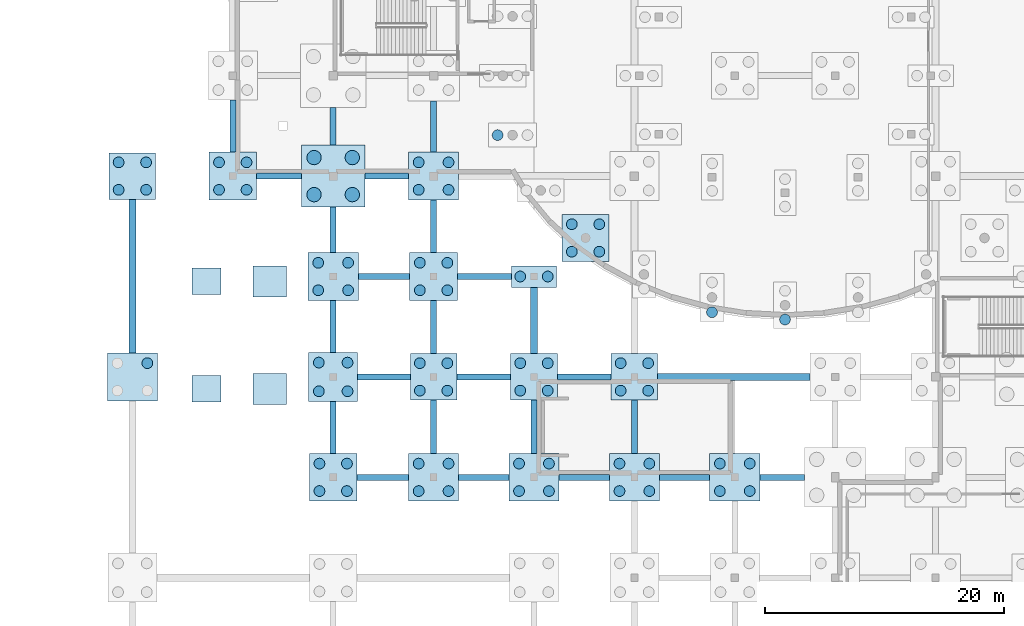
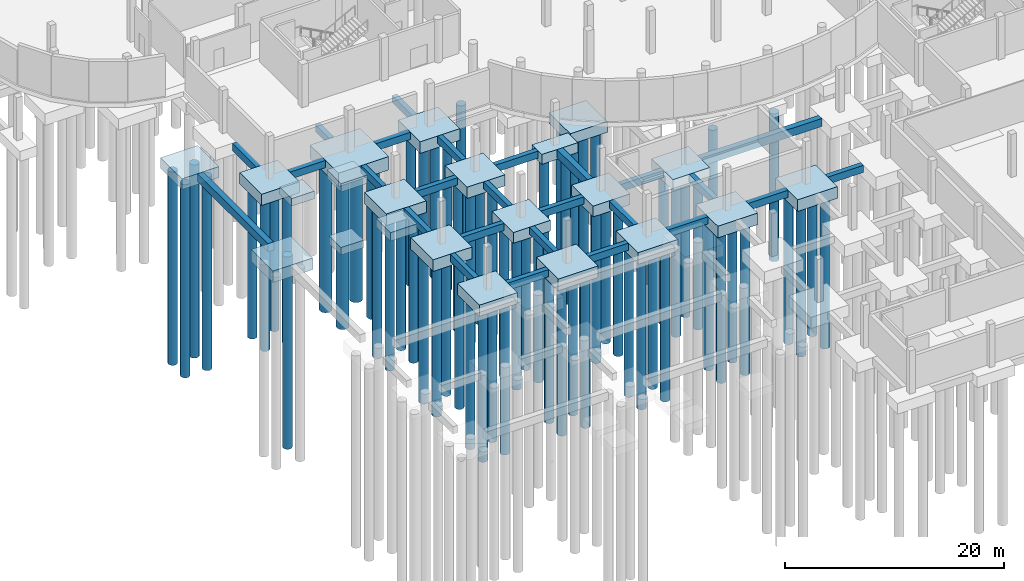
# One storey, part 2 of 24: 70 piles, 48 footings.
"""IFC4 building model written with IfcOpenShell, lengths in metres."""

from ifc_helpers import new_model, si_unit, derived_unit, direction, frame, origin, origin_2d, place, context, subcontext, project, spatial, rectangle, circle, extrude, material, layer, layer_set, material_profile, profile_set, type_object, element, save


model = new_model("IFC4")

# Units and contexts
model_context = context("Model", 3, precision=1e-05, world=origin(), true_north=direction((0.0, 1.0)))
body_context = subcontext(model_context, "Body", "Model", "MODEL_VIEW")
ifc_project = project(units=[si_unit("LENGTHUNIT", "METRE"), si_unit("AREAUNIT", "SQUARE_METRE"), si_unit("VOLUMEUNIT", "CUBIC_METRE"), si_unit("PLANEANGLEUNIT", "RADIAN"), si_unit("MASSUNIT", "GRAM", prefix="KILO"), derived_unit("THERMALTRANSMITTANCEUNIT", [(si_unit("POWERUNIT", "WATT"), 1), (si_unit("LENGTHUNIT", "METRE"), -2), (si_unit("THERMODYNAMICTEMPERATUREUNIT", "KELVIN"), -1)])], contexts=[model_context])

# Site, building, storey
site_placement = place(None, origin())
site = spatial("IfcSite", under=ifc_project, at=site_placement, CompositionType="ELEMENT")
building_placement = place(site_placement, origin())
building = spatial("IfcBuilding", under=site, at=building_placement, Name="Elbkamm Science Centre", CompositionType="ELEMENT")
storey_placement = place(building_placement, frame((0.0, 0.0, -4.800048828125)))
storey = spatial("IfcBuildingStorey", under=building, at=storey_placement, Name="B01", CompositionType="ELEMENT", Elevation=-4.800048828125)

# Footings
ifc_material = material(Name="Concrete C35/45", Category="concrete")
footing_type_1 = type_object("IfcFootingType", Name="FTG-TIE-500x800", PredefinedType="FOOTING_BEAM", material=ifc_material)
footing_1_placement = place(storey_placement, frame((29.35009765625, 33.60009765625, -0.7998046875), z_axis=(0.0, 0.0, 1.0), x_axis=(1.0, 0.0, 0.0)))
element("IfcFooting", 1, at=footing_1_placement, inside=storey, type_object=footing_type_1, Name="Substructure Ground Tie Beam X-043", PredefinedType="FOOTING_BEAM", context=body_context, shape_type="SweptSolid", body=[
    extrude(rectangle(XDim=4.300048828125, YDim=0.5, at=origin_2d()), origin(), (0.0, 0.0, 1.0), 0.800048828125),
])
for number, where, z_axis, x_axis, name in (
    (2, (37.800048828125, 33.60009765625, -0.7998046875), (0.0, 0.0, 1.0), (1.0, 0.0, 0.0), "Substructure Ground Tie Beam X-044"),
    (3, (46.199951171875, 33.60009765625, -0.7998046875), (0.0, 0.0, 1.0), (1.0, 0.0, 0.0), "Substructure Ground Tie Beam X-045"),
    (4, (54.60009765625, 33.60009765625, -0.7998046875), (0.0, 0.0, 1.0), (1.0, 0.0, 0.0), "Substructure Ground Tie Beam X-046"),
):
    element("IfcFooting", number, at=place(storey_placement, frame(where, z_axis=z_axis, x_axis=x_axis)), inside=storey, type_object=footing_type_1, Name=name, PredefinedType="FOOTING_BEAM", context=body_context, shape_type="SweptSolid", body=[
        extrude(rectangle(XDim=4.199951171875, YDim=0.5, at=origin_2d()), origin(), (0.0, 0.0, 1.0), 0.800048828125),
    ])
footing_2_placement = place(storey_placement, frame((62.77490234375, 33.60009765625, -0.7998046875), z_axis=(0.0, 0.0, 1.0), x_axis=(1.0, 0.0, 0.0)))
element("IfcFooting", 5, at=footing_2_placement, inside=storey, type_object=footing_type_1, Name="Substructure Ground Tie Beam X-047", PredefinedType="FOOTING_BEAM", context=body_context, shape_type="SweptSolid", body=[
    extrude(rectangle(XDim=3.75, YDim=0.5, at=origin_2d()), origin(), (0.0, 0.0, 1.0), 0.800048828125),
])
footing_3_placement = place(storey_placement, frame((29.449951171875, 42.0, -0.7998046875), z_axis=(0.0, 0.0, 1.0), x_axis=(1.0, 0.0, 0.0)))
element("IfcFooting", 6, at=footing_3_placement, inside=storey, type_object=footing_type_1, Name="Substructure Ground Tie Beam X-058", PredefinedType="FOOTING_BEAM", context=body_context, shape_type="SweptSolid", body=[
    extrude(rectangle(XDim=4.39990234375, YDim=0.5, at=origin_2d()), origin(), (0.0, 0.0, 1.0), 0.800048828125),
])
for number, where, z_axis, x_axis, name in (
    (7, (37.800048828125, 42.0, -0.7998046875), (0.0, 0.0, 1.0), (1.0, 0.0, 0.0), "Substructure Ground Tie Beam X-059"),
    (8, (46.199951171875, 42.0, -0.7998046875), (0.0, 0.0, 1.0), (1.0, 0.0, 0.0), "Substructure Ground Tie Beam X-060"),
):
    element("IfcFooting", number, at=place(storey_placement, frame(where, z_axis=z_axis, x_axis=x_axis)), inside=storey, type_object=footing_type_1, Name=name, PredefinedType="FOOTING_BEAM", context=body_context, shape_type="SweptSolid", body=[
        extrude(rectangle(XDim=4.5, YDim=0.5, at=origin_2d()), origin(), (0.0, 0.0, 1.0), 0.800048828125),
    ])
footing_4_placement = place(storey_placement, frame((29.449951171875, 50.39990234375, -0.7998046875), z_axis=(0.0, 0.0, 1.0), x_axis=(1.0, 0.0, 0.0)))
element("IfcFooting", 9, at=footing_4_placement, inside=storey, type_object=footing_type_1, Name="Substructure Ground Tie Beam X-071", PredefinedType="FOOTING_BEAM", context=body_context, shape_type="SweptSolid", body=[
    extrude(rectangle(XDim=4.300048828125, YDim=0.5, at=origin_2d()), origin(), (0.0, 0.0, 1.0), 0.800048828125),
])
footing_5_placement = place(storey_placement, frame((37.85009765625, 50.39990234375, -0.7998046875), z_axis=(0.0, 0.0, 1.0), x_axis=(1.0, 0.0, 0.0)))
element("IfcFooting", 10, at=footing_5_placement, inside=storey, type_object=footing_type_1, Name="Substructure Ground Tie Beam X-072", PredefinedType="FOOTING_BEAM", context=body_context, shape_type="SweptSolid", body=[
    extrude(rectangle(XDim=4.5, YDim=0.5, at=origin_2d()), origin(), (0.0, 0.0, 1.0), 0.800048828125),
])
footing_6_placement = place(storey_placement, frame((20.675048828125, 58.800048828125, -0.7998046875), z_axis=(0.0, 0.0, 1.0), x_axis=(1.0, 0.0, 0.0)))
element("IfcFooting", 11, at=footing_6_placement, inside=storey, type_object=footing_type_1, Name="Substructure Ground Tie Beam X-081", PredefinedType="FOOTING_BEAM", context=body_context, shape_type="SweptSolid", body=[
    extrude(rectangle(XDim=3.75, YDim=0.5, at=origin_2d()), origin(), (0.0, 0.0, 1.0), 0.800048828125),
])
footing_7_placement = place(storey_placement, frame((29.675048828125, 58.800048828125, -0.7998046875), z_axis=(0.0, 0.0, 1.0), x_axis=(1.0, 0.0, 0.0)))
element("IfcFooting", 12, at=footing_7_placement, inside=storey, type_object=footing_type_1, Name="Substructure Ground Tie Beam X-082", PredefinedType="FOOTING_BEAM", context=body_context, shape_type="SweptSolid", body=[
    extrude(rectangle(XDim=3.64990234375, YDim=0.5, at=origin_2d()), origin(), (0.0, 0.0, 1.0), 0.800048828125),
])
for number, where, z_axis, x_axis, name in (
    (13, (16.800048828125, 62.97509765625, -0.7998046875), (0.0, 0.0, 1.0), (1.0, 0.0, 0.0), "Substructure Ground Tie Beam Y-131"),
    (14, (25.199951171875, 37.77490234375, -0.7998046875), (0.0, 0.0, 1.0), (1.0, 0.0, 0.0), "Substructure Ground Tie Beam Y-136"),
    (15, (25.199951171875, 46.22509765625, -0.7998046875), (0.0, 0.0, 1.0), (1.0, 0.0, 0.0), "Substructure Ground Tie Beam Y-137"),
):
    element("IfcFooting", number, at=place(storey_placement, frame(where, z_axis=z_axis, x_axis=x_axis)), inside=storey, type_object=footing_type_1, Name=name, PredefinedType="FOOTING_BEAM", context=body_context, shape_type="SweptSolid", body=[
        extrude(rectangle(XDim=0.5, YDim=4.35009765625, at=origin_2d()), origin(), (0.0, 0.0, 1.0), 0.800048828125),
    ])
footing_8_placement = place(storey_placement, frame((25.199951171875, 54.300048828125, -0.7998046875), z_axis=(0.0, 0.0, 1.0), x_axis=(1.0, 0.0, 0.0)))
element("IfcFooting", 16, at=footing_8_placement, inside=storey, type_object=footing_type_1, Name="Substructure Ground Tie Beam Y-138", PredefinedType="FOOTING_BEAM", context=body_context, shape_type="SweptSolid", body=[
    extrude(rectangle(XDim=0.5, YDim=3.800048828125, at=origin_2d()), origin(), (0.0, 0.0, 1.0), 0.800048828125),
])
footing_9_placement = place(storey_placement, frame((25.199951171875, 62.97509765625, -1.2998046875), z_axis=(0.0, 0.0, 1.0), x_axis=(1.0, 0.0, 0.0)))
element("IfcFooting", 17, at=footing_9_placement, inside=storey, type_object=footing_type_1, Name="Substructure Ground Tie Beam Y-139", PredefinedType="FOOTING_BEAM", context=body_context, shape_type="SweptSolid", body=[
    extrude(rectangle(XDim=0.5, YDim=3.14990234375, at=origin_2d()), origin(), (0.0, 0.0, 1.0), 0.800048828125),
])
for number, where, z_axis, x_axis, name in (
    (18, (33.60009765625, 37.824951171875, -0.7998046875), (0.0, 0.0, 1.0), (1.0, 0.0, 0.0), "Substructure Ground Tie Beam Y-140"),
    (19, (33.60009765625, 46.175048828125, -0.7998046875), (0.0, 0.0, 1.0), (1.0, 0.0, 0.0), "Substructure Ground Tie Beam Y-141"),
):
    element("IfcFooting", number, at=place(storey_placement, frame(where, z_axis=z_axis, x_axis=x_axis)), inside=storey, type_object=footing_type_1, Name=name, PredefinedType="FOOTING_BEAM", context=body_context, shape_type="SweptSolid", body=[
        extrude(rectangle(XDim=0.5, YDim=4.449951171875, at=origin_2d()), origin(), (0.0, 0.0, 1.0), 0.800048828125),
    ])
footing_10_placement = place(storey_placement, frame((33.60009765625, 54.60009765625, -0.7998046875), z_axis=(0.0, 0.0, 1.0), x_axis=(1.0, 0.0, 0.0)))
element("IfcFooting", 20, at=footing_10_placement, inside=storey, type_object=footing_type_1, Name="Substructure Ground Tie Beam Y-142", PredefinedType="FOOTING_BEAM", context=body_context, shape_type="SweptSolid", body=[
    extrude(rectangle(XDim=0.5, YDim=4.39990234375, at=origin_2d()), origin(), (0.0, 0.0, 1.0), 0.800048828125),
])
footing_11_placement = place(storey_placement, frame((33.60009765625, 62.949951171875, -1.2998046875), z_axis=(0.0, 0.0, 1.0), x_axis=(1.0, 0.0, 0.0)))
element("IfcFooting", 21, at=footing_11_placement, inside=storey, type_object=footing_type_1, Name="Substructure Ground Tie Beam Y-143", PredefinedType="FOOTING_BEAM", context=body_context, shape_type="SweptSolid", body=[
    extrude(rectangle(XDim=0.5, YDim=4.300048828125, at=origin_2d()), origin(), (0.0, 0.0, 1.0), 0.800048828125),
])
for number, where, z_axis, x_axis, name in (
    (22, (42.0, 37.824951171875, -0.7998046875), (0.0, 0.0, 1.0), (1.0, 0.0, 0.0), "Substructure Ground Tie Beam Y-149"),
    (23, (50.39990234375, 37.824951171875, -0.7998046875), (0.0, 0.0, 1.0), (1.0, 0.0, 0.0), "Substructure Ground Tie Beam Y-155"),
):
    element("IfcFooting", number, at=place(storey_placement, frame(where, z_axis=z_axis, x_axis=x_axis)), inside=storey, type_object=footing_type_1, Name=name, PredefinedType="FOOTING_BEAM", context=body_context, shape_type="SweptSolid", body=[
        extrude(rectangle(XDim=0.5, YDim=4.449951171875, at=origin_2d()), origin(), (0.0, 0.0, 1.0), 0.800048828125),
    ])
footing_type_2 = type_object("IfcFootingType", Name="FTG-TIE-600x900", PredefinedType="FOOTING_BEAM", material=ifc_material)
footing_12_placement = place(storey_placement, frame((58.72509765625, 42.0, -0.89990234375), z_axis=(0.0, 0.0, 1.0), x_axis=(1.0, 0.0, 0.0)))
element("IfcFooting", 24, at=footing_12_placement, inside=storey, type_object=footing_type_2, Name="Substructure Ground Tie Beam X-061", PredefinedType="FOOTING_BEAM", context=body_context, shape_type="SweptSolid", body=[
    extrude(rectangle(XDim=12.75, YDim=0.60009765625, at=origin_2d()), origin(), (0.0, 0.0, 1.0), 0.89990234375),
])
footing_13_placement = place(storey_placement, frame((8.39990234375, 50.425048828125, 3.710205078125), z_axis=(0.0, 0.0, 1.0), x_axis=(1.0, 0.0, 0.0)))
element("IfcFooting", 25, at=footing_13_placement, inside=storey, type_object=footing_type_2, Name="Substructure Ground Tie Beam Y-130", PredefinedType="FOOTING_BEAM", context=body_context, shape_type="SweptSolid", body=[
    extrude(rectangle(XDim=0.60009765625, YDim=12.85009765625, at=origin_2d()), origin(), (0.0, 0.0, 1.0), 0.89990234375),
])
footing_14_placement = place(storey_placement, frame((42.0, 46.72509765625, -0.89990234375), z_axis=(0.0, 0.0, 1.0), x_axis=(1.0, 0.0, 0.0)))
element("IfcFooting", 26, at=footing_14_placement, inside=storey, type_object=footing_type_2, Name="Substructure Ground Tie Beam Y-150", PredefinedType="FOOTING_BEAM", context=body_context, shape_type="SweptSolid", body=[
    extrude(rectangle(XDim=0.60009765625, YDim=5.550048828125, at=origin_2d()), origin(), (0.0, 0.0, 1.0), 0.89990234375),
])
ifc_layer_1 = layer(ifc_material, 0.85009765625)
ifc_layer_set_1 = layer_set([ifc_layer_1], Name="Concrete C35/45")
footing_type_3 = type_object("IfcFootingType", Name="PAD-240x220x85", PredefinedType="PAD_FOOTING", material=ifc_layer_set_1)
for number, where, z_axis, x_axis, name in (
    (27, (14.60009765625, 41.0, 3.949951171875), (0.0, 0.0, 1.0), (1.0, 0.0, 0.0), "Warft Stair 1 Base Footing"),
    (28, (14.60009765625, 50.0, 3.949951171875), (0.0, 0.0, 1.0), (1.0, 0.0, 0.0), "Warft Stair 2 Base Footing"),
):
    element("IfcFooting", number, at=place(storey_placement, frame(where, z_axis=z_axis, x_axis=x_axis)), inside=storey, type_object=footing_type_3, Name=name, PredefinedType="PAD_FOOTING", context=body_context, shape_type="SweptSolid", body=[
        extrude(rectangle(XDim=2.39990234375, YDim=2.199951171875, at=origin_2d()), origin(), (0.0, 0.0, 1.0), 0.85009765625),
    ])
ifc_layer_2 = layer(ifc_material, 0.949951171875)
ifc_layer_set_2 = layer_set([ifc_layer_2], Name="Concrete C35/45")
footing_type_4 = type_object("IfcFootingType", Name="PAD-280x260x95", PredefinedType="PAD_FOOTING", material=ifc_layer_set_2)
for number, where, z_axis, x_axis, name in (
    (29, (19.89990234375, 41.0, 3.85009765625), (0.0, 0.0, 1.0), (1.0, 0.0, 0.0), "Warft Stair 1 Landing Footing"),
    (30, (19.89990234375, 50.0, 3.85009765625), (0.0, 0.0, 1.0), (1.0, 0.0, 0.0), "Warft Stair 2 Landing Footing"),
):
    element("IfcFooting", number, at=place(storey_placement, frame(where, z_axis=z_axis, x_axis=x_axis)), inside=storey, type_object=footing_type_4, Name=name, PredefinedType="PAD_FOOTING", context=body_context, shape_type="SweptSolid", body=[
        extrude(rectangle(XDim=2.800048828125, YDim=2.60009765625, at=origin_2d()), origin(), (0.0, 0.0, 1.0), 0.949951171875),
    ])
ifc_layer_3 = layer(ifc_material, 1.10009765625)
ifc_layer_set_3 = layer_set([ifc_layer_3], Name="Concrete C35/45")
footing_type_5 = type_object("IfcFootingType", Name="PC-2P-380x180x110", PredefinedType="PILE_CAP", material=ifc_layer_set_3)
footing_15_placement = place(storey_placement, frame((42.0, 50.39990234375, -1.10009765625), z_axis=(0.0, 0.0, 1.0), x_axis=(1.0, 0.0, 0.0)))
element("IfcFooting", 31, at=footing_15_placement, inside=storey, type_object=footing_type_5, Name="Pile Cap GRID-6-G", PredefinedType="PILE_CAP", context=body_context, shape_type="SweptSolid", body=[
    extrude(rectangle(XDim=3.800048828125, YDim=1.800048828125, at=origin_2d()), origin(), (0.0, 0.0, 1.0), 1.10009765625),
])
ifc_layer_4 = layer(ifc_material, 1.199951171875)
ifc_layer_set_4 = layer_set([ifc_layer_4], Name="Concrete C35/45")
footing_type_6 = type_object("IfcFootingType", Name="PC-4P-390x390x120", PredefinedType="PILE_CAP", material=ifc_layer_set_4)
for number, where, z_axis, x_axis, name in (
    (32, (46.31201171875, 53.6240234375, -1.69970703125), (0.0, 0.0, 1.0), (1.0, 0.0, 0.0), "Pile Cap SH-OUT-16"),
    (33, (8.39990234375, 58.800048828125, 3.41015625), (0.0, 0.0, 1.0), (1.0, 0.0, 0.0), "Pile Cap MARQ-SUB-09"),
    (34, (33.60009765625, 42.0, -1.19970703125), (0.0, 0.0, 1.0), (1.0, 0.0, 0.0), "Pile Cap GRID-5-F"),
    (35, (42.0, 42.0, -1.19970703125), (0.0, 0.0, 1.0), (1.0, 0.0, 0.0), "Pile Cap GRID-6-F"),
    (36, (50.39990234375, 42.0, -1.19970703125), (0.0, 0.0, 1.0), (1.0, 0.0, 0.0), "Pile Cap GRID-7-F"),
):
    element("IfcFooting", number, at=place(storey_placement, frame(where, z_axis=z_axis, x_axis=x_axis)), inside=storey, type_object=footing_type_6, Name=name, PredefinedType="PILE_CAP", context=body_context, shape_type="SweptSolid", body=[
        extrude(rectangle(XDim=3.89990234375, YDim=3.89990234375, at=origin_2d()), origin(), (0.0, 0.0, 1.0), 1.199951171875),
    ])
ifc_layer_5 = layer(ifc_material, 1.25)
ifc_layer_set_5 = layer_set([ifc_layer_5], Name="Concrete C35/45")
footing_type_7 = type_object("IfcFootingType", Name="PC-4P-400x400x125", PredefinedType="PILE_CAP", material=ifc_layer_set_5)
for number, where, z_axis, x_axis, name in (
    (37, (16.800048828125, 58.800048828125, -1.25), (0.0, 0.0, 1.0), (1.0, 0.0, 0.0), "Pile Cap GRID-3-H"),
    (38, (25.199951171875, 33.60009765625, -1.25), (0.0, 0.0, 1.0), (1.0, 0.0, 0.0), "Pile Cap GRID-4-E"),
    (39, (33.60009765625, 50.39990234375, -1.25), (0.0, 0.0, 1.0), (1.0, 0.0, 0.0), "Pile Cap GRID-5-G"),
):
    element("IfcFooting", number, at=place(storey_placement, frame(where, z_axis=z_axis, x_axis=x_axis)), inside=storey, type_object=footing_type_7, Name=name, PredefinedType="PILE_CAP", context=body_context, shape_type="SweptSolid", body=[
        extrude(rectangle(XDim=4.0, YDim=4.0, at=origin_2d()), origin(), (0.0, 0.0, 1.0), 1.25),
    ])
ifc_layer_6 = layer(ifc_material, 1.300048828125)
ifc_layer_set_6 = layer_set([ifc_layer_6], Name="Concrete C35/45")
footing_type_8 = type_object("IfcFootingType", Name="PC-4P-410x410x130", PredefinedType="PILE_CAP", material=ifc_layer_set_6)
footing_16_placement = place(storey_placement, frame((25.199951171875, 42.0, -1.2998046875), z_axis=(0.0, 0.0, 1.0), x_axis=(1.0, 0.0, 0.0)))
element("IfcFooting", 40, at=footing_16_placement, inside=storey, type_object=footing_type_8, Name="Pile Cap GRID-4-F", PredefinedType="PILE_CAP", context=body_context, shape_type="SweptSolid", body=[
    extrude(rectangle(XDim=4.10009765625, YDim=4.10009765625, at=origin_2d()), origin(), (0.0, 0.0, 1.0), 1.300048828125),
])
ifc_layer_7 = layer(ifc_material, 1.300048828125)
ifc_layer_set_7 = layer_set([ifc_layer_7], Name="Concrete C35/45")
footing_type_9 = type_object("IfcFootingType", Name="PC-4P-420x400x130", PredefinedType="PILE_CAP", material=ifc_layer_set_7)
for number, where, z_axis, x_axis, name in (
    (41, (8.39990234375, 42.0, 3.31005859375), (0.0, 0.0, 1.0), (1.0, 0.0, 0.0), "Pile Cap MARQ-SUB-08"),
    (42, (25.199951171875, 50.39990234375, -1.2998046875), (0.0, 0.0, 1.0), (1.0, 0.0, 0.0), "Pile Cap GRID-4-G"),
    (43, (33.60009765625, 33.60009765625, -1.2998046875), (0.0, 0.0, 1.0), (1.0, 0.0, 0.0), "Pile Cap GRID-5-E"),
    (44, (33.60009765625, 58.800048828125, -1.2998046875), (0.0, 0.0, 1.0), (1.0, 0.0, 0.0), "Pile Cap GRID-5-H"),
    (45, (42.0, 33.60009765625, -1.2998046875), (0.0, 0.0, 1.0), (1.0, 0.0, 0.0), "Pile Cap GRID-6-E"),
    (46, (50.39990234375, 33.60009765625, -1.2998046875), (0.0, 0.0, 1.0), (1.0, 0.0, 0.0), "Pile Cap GRID-7-E"),
    (47, (58.800048828125, 33.60009765625, -1.2998046875), (0.0, 0.0, 1.0), (1.0, 0.0, 0.0), "Pile Cap GRID-8-E"),
):
    element("IfcFooting", number, at=place(storey_placement, frame(where, z_axis=z_axis, x_axis=x_axis)), inside=storey, type_object=footing_type_9, Name=name, PredefinedType="PILE_CAP", context=body_context, shape_type="SweptSolid", body=[
        extrude(rectangle(XDim=4.199951171875, YDim=4.0, at=origin_2d()), origin(), (0.0, 0.0, 1.0), 1.300048828125),
    ])
ifc_layer_8 = layer(ifc_material, 1.5)
ifc_layer_set_8 = layer_set([ifc_layer_8], Name="Concrete C35/45")
footing_type_10 = type_object("IfcFootingType", Name="PC-4P-530x520x150", PredefinedType="PILE_CAP", material=ifc_layer_set_8)
footing_17_placement = place(storey_placement, frame((25.199951171875, 58.800048828125, -1.5), z_axis=(0.0, 0.0, 1.0), x_axis=(1.0, 0.0, 0.0)))
element("IfcFooting", 48, at=footing_17_placement, inside=storey, type_object=footing_type_10, Name="Pile Cap GRID-4-H", PredefinedType="PILE_CAP", context=body_context, shape_type="SweptSolid", body=[
    extrude(rectangle(XDim=5.300048828125, YDim=5.199951171875, at=origin_2d()), origin(), (0.0, 0.0, 1.0), 1.5),
])

# Piles
ifc_material_profile_1 = material_profile(ifc_material, circle(Radius=0.60009765625, at=origin_2d()), Name="PILE D1200")
ifc_profile_set_1 = profile_set([ifc_material_profile_1], Name="Concrete C35/45")
pile_type_1 = type_object("IfcPileType", Name="PILE-BORED-1200", PredefinedType="BORED", material=ifc_profile_set_1)
for number, where, z_axis, x_axis, name in (
    (49, (23.60009765625, 57.25, -1.39990234375), (0.0, 0.0, -1.0), (1.0, 0.0, 0.0), "Bored Pile GRID-4-H-1"),
    (50, (26.800048828125, 57.25, -1.39990234375), (0.0, 0.0, -1.0), (1.0, 0.0, 0.0), "Bored Pile GRID-4-H-2"),
    (51, (23.60009765625, 60.35009765625, -1.39990234375), (0.0, 0.0, -1.0), (1.0, 0.0, 0.0), "Bored Pile GRID-4-H-3"),
    (52, (26.800048828125, 60.35009765625, -1.39990234375), (0.0, 0.0, -1.0), (1.0, 0.0, 0.0), "Bored Pile GRID-4-H-4"),
):
    element("IfcPile", number, at=place(storey_placement, frame(where, z_axis=z_axis, x_axis=x_axis)), inside=storey, type_object=pile_type_1, Name=name, PredefinedType="BORED", context=body_context, shape_type="SweptSolid", body=[
        extrude(circle(Radius=0.60009765625, at=origin_2d()), origin(), (0.0, 0.0, 1.0), 16.60009765625),
    ])
ifc_material_profile_2 = material_profile(ifc_material, circle(Radius=0.449951171875, at=origin_2d()), Name="PILE D900")
ifc_profile_set_2 = profile_set([ifc_material_profile_2], Name="Concrete C35/45")
pile_type_2 = type_object("IfcPileType", Name="PILE-BORED-900", PredefinedType="BORED", material=ifc_profile_set_2)
for number, where, z_axis, x_axis, name in (
    (53, (38.9541015625, 62.23095703125, -1.599853515625), (0.0, 0.0, -1.0), (1.0, 0.0, 0.0), "Bored Pile SH-OUT-14-1"),
    (54, (45.162109375, 52.47412109375, -1.599853515625), (0.0, 0.0, -1.0), (1.0, 0.0, 0.0), "Bored Pile SH-OUT-16-1"),
    (55, (47.4619140625, 52.47412109375, -1.599853515625), (0.0, 0.0, -1.0), (1.0, 0.0, 0.0), "Bored Pile SH-OUT-16-2"),
    (56, (45.162109375, 54.77392578125, -1.599853515625), (0.0, 0.0, -1.0), (1.0, 0.0, 0.0), "Bored Pile SH-OUT-16-3"),
    (57, (47.4619140625, 54.77392578125, -1.599853515625), (0.0, 0.0, -1.0), (1.0, 0.0, 0.0), "Bored Pile SH-OUT-16-4"),
    (58, (56.89208984375, 47.404052734375, -1.599853515625), (0.0, 0.0, -1.0), (1.0, 0.0, 0.0), "Bored Pile SH-OUT-18-1"),
):
    element("IfcPile", number, at=place(storey_placement, frame(where, z_axis=z_axis, x_axis=x_axis)), inside=storey, type_object=pile_type_2, Name=name, PredefinedType="BORED", context=body_context, shape_type="SweptSolid", body=[
        extrude(circle(Radius=0.449951171875, at=origin_2d()), origin(), (0.0, 0.0, 1.0), 16.39990234375),
    ])
pile_1_placement = place(storey_placement, frame((63.0, 46.800048828125, -1.550048828125), z_axis=(0.0, 0.0, -1.0), x_axis=(1.0, 0.0, 0.0)))
element("IfcPile", 59, at=pile_1_placement, inside=storey, type_object=pile_type_2, Name="Bored Pile SH-OUT-19-1", PredefinedType="BORED", context=body_context, shape_type="SweptSolid", body=[
    extrude(circle(Radius=0.449951171875, at=origin_2d()), origin(), (0.0, 0.0, 1.0), 16.449951171875),
])
pile_2_placement = place(storey_placement, frame((9.64990234375, 43.14990234375, 3.41015625), z_axis=(0.0, 0.0, -1.0), x_axis=(1.0, 0.0, 0.0)))
element("IfcPile", 60, at=pile_2_placement, inside=storey, type_object=pile_type_2, Name="Bored Pile MARQ-SUB-08-4", PredefinedType="BORED", context=body_context, shape_type="SweptSolid", body=[
    extrude(circle(Radius=0.449951171875, at=origin_2d()), origin(), (0.0, 0.0, 1.0), 21.409912109375),
])
for number, where, z_axis, x_axis, name in (
    (61, (7.25, 57.64990234375, 3.510009765625), (0.0, 0.0, -1.0), (1.0, 0.0, 0.0), "Bored Pile MARQ-SUB-09-1"),
    (62, (9.550048828125, 57.64990234375, 3.510009765625), (0.0, 0.0, -1.0), (1.0, 0.0, 0.0), "Bored Pile MARQ-SUB-09-2"),
    (63, (7.25, 59.949951171875, 3.510009765625), (0.0, 0.0, -1.0), (1.0, 0.0, 0.0), "Bored Pile MARQ-SUB-09-3"),
    (64, (9.550048828125, 59.949951171875, 3.510009765625), (0.0, 0.0, -1.0), (1.0, 0.0, 0.0), "Bored Pile MARQ-SUB-09-4"),
):
    element("IfcPile", number, at=place(storey_placement, frame(where, z_axis=z_axis, x_axis=x_axis)), inside=storey, type_object=pile_type_2, Name=name, PredefinedType="BORED", context=body_context, shape_type="SweptSolid", body=[
        extrude(circle(Radius=0.449951171875, at=origin_2d()), origin(), (0.0, 0.0, 1.0), 21.510009765625),
    ])
for number, where, z_axis, x_axis, name in (
    (65, (15.64990234375, 57.64990234375, -1.14990234375), (0.0, 0.0, -1.0), (1.0, 0.0, 0.0), "Bored Pile GRID-3-H-1"),
    (66, (17.949951171875, 57.64990234375, -1.14990234375), (0.0, 0.0, -1.0), (1.0, 0.0, 0.0), "Bored Pile GRID-3-H-2"),
    (67, (15.64990234375, 59.949951171875, -1.14990234375), (0.0, 0.0, -1.0), (1.0, 0.0, 0.0), "Bored Pile GRID-3-H-3"),
    (68, (17.949951171875, 59.949951171875, -1.14990234375), (0.0, 0.0, -1.0), (1.0, 0.0, 0.0), "Bored Pile GRID-3-H-4"),
    (69, (24.050048828125, 32.449951171875, -1.14990234375), (0.0, 0.0, -1.0), (1.0, 0.0, 0.0), "Bored Pile GRID-4-E-1"),
    (70, (26.35009765625, 32.449951171875, -1.14990234375), (0.0, 0.0, -1.0), (1.0, 0.0, 0.0), "Bored Pile GRID-4-E-2"),
    (71, (24.050048828125, 34.75, -1.14990234375), (0.0, 0.0, -1.0), (1.0, 0.0, 0.0), "Bored Pile GRID-4-E-3"),
    (72, (26.35009765625, 34.75, -1.14990234375), (0.0, 0.0, -1.0), (1.0, 0.0, 0.0), "Bored Pile GRID-4-E-4"),
):
    element("IfcPile", number, at=place(storey_placement, frame(where, z_axis=z_axis, x_axis=x_axis)), inside=storey, type_object=pile_type_2, Name=name, PredefinedType="BORED", context=body_context, shape_type="SweptSolid", body=[
        extrude(circle(Radius=0.449951171875, at=origin_2d()), origin(), (0.0, 0.0, 1.0), 16.85009765625),
    ])
for number, where, z_axis, x_axis, name in (
    (73, (24.0, 40.800048828125, -1.199951171875), (0.0, 0.0, -1.0), (1.0, 0.0, 0.0), "Bored Pile GRID-4-F-1"),
    (74, (26.39990234375, 40.800048828125, -1.199951171875), (0.0, 0.0, -1.0), (1.0, 0.0, 0.0), "Bored Pile GRID-4-F-2"),
    (75, (24.0, 43.199951171875, -1.199951171875), (0.0, 0.0, -1.0), (1.0, 0.0, 0.0), "Bored Pile GRID-4-F-3"),
    (76, (26.39990234375, 43.199951171875, -1.199951171875), (0.0, 0.0, -1.0), (1.0, 0.0, 0.0), "Bored Pile GRID-4-F-4"),
    (77, (23.949951171875, 49.25, -1.199951171875), (0.0, 0.0, -1.0), (1.0, 0.0, 0.0), "Bored Pile GRID-4-G-1"),
    (78, (26.449951171875, 49.25, -1.199951171875), (0.0, 0.0, -1.0), (1.0, 0.0, 0.0), "Bored Pile GRID-4-G-2"),
    (79, (23.949951171875, 51.550048828125, -1.199951171875), (0.0, 0.0, -1.0), (1.0, 0.0, 0.0), "Bored Pile GRID-4-G-3"),
    (80, (26.449951171875, 51.550048828125, -1.199951171875), (0.0, 0.0, -1.0), (1.0, 0.0, 0.0), "Bored Pile GRID-4-G-4"),
    (81, (32.35009765625, 32.449951171875, -1.199951171875), (0.0, 0.0, -1.0), (1.0, 0.0, 0.0), "Bored Pile GRID-5-E-1"),
    (82, (34.85009765625, 32.449951171875, -1.199951171875), (0.0, 0.0, -1.0), (1.0, 0.0, 0.0), "Bored Pile GRID-5-E-2"),
    (83, (32.35009765625, 34.75, -1.199951171875), (0.0, 0.0, -1.0), (1.0, 0.0, 0.0), "Bored Pile GRID-5-E-3"),
    (84, (34.85009765625, 34.75, -1.199951171875), (0.0, 0.0, -1.0), (1.0, 0.0, 0.0), "Bored Pile GRID-5-E-4"),
):
    element("IfcPile", number, at=place(storey_placement, frame(where, z_axis=z_axis, x_axis=x_axis)), inside=storey, type_object=pile_type_2, Name=name, PredefinedType="BORED", context=body_context, shape_type="SweptSolid", body=[
        extrude(circle(Radius=0.449951171875, at=origin_2d()), origin(), (0.0, 0.0, 1.0), 16.800048828125),
    ])
for number, where, z_axis, x_axis, name in (
    (85, (32.449951171875, 40.85009765625, -1.099853515625), (0.0, 0.0, -1.0), (1.0, 0.0, 0.0), "Bored Pile GRID-5-F-1"),
    (86, (34.75, 40.85009765625, -1.099853515625), (0.0, 0.0, -1.0), (1.0, 0.0, 0.0), "Bored Pile GRID-5-F-2"),
    (87, (32.449951171875, 43.14990234375, -1.099853515625), (0.0, 0.0, -1.0), (1.0, 0.0, 0.0), "Bored Pile GRID-5-F-3"),
    (88, (34.75, 43.14990234375, -1.099853515625), (0.0, 0.0, -1.0), (1.0, 0.0, 0.0), "Bored Pile GRID-5-F-4"),
):
    element("IfcPile", number, at=place(storey_placement, frame(where, z_axis=z_axis, x_axis=x_axis)), inside=storey, type_object=pile_type_2, Name=name, PredefinedType="BORED", context=body_context, shape_type="SweptSolid", body=[
        extrude(circle(Radius=0.449951171875, at=origin_2d()), origin(), (0.0, 0.0, 1.0), 16.89990234375),
    ])
for number, where, z_axis, x_axis, name in (
    (89, (32.449951171875, 49.25, -1.14990234375), (0.0, 0.0, -1.0), (1.0, 0.0, 0.0), "Bored Pile GRID-5-G-1"),
    (90, (34.75, 49.25, -1.14990234375), (0.0, 0.0, -1.0), (1.0, 0.0, 0.0), "Bored Pile GRID-5-G-2"),
    (91, (32.449951171875, 51.550048828125, -1.14990234375), (0.0, 0.0, -1.0), (1.0, 0.0, 0.0), "Bored Pile GRID-5-G-3"),
    (92, (34.75, 51.550048828125, -1.14990234375), (0.0, 0.0, -1.0), (1.0, 0.0, 0.0), "Bored Pile GRID-5-G-4"),
):
    element("IfcPile", number, at=place(storey_placement, frame(where, z_axis=z_axis, x_axis=x_axis)), inside=storey, type_object=pile_type_2, Name=name, PredefinedType="BORED", context=body_context, shape_type="SweptSolid", body=[
        extrude(circle(Radius=0.449951171875, at=origin_2d()), origin(), (0.0, 0.0, 1.0), 16.85009765625),
    ])
for number, where, z_axis, x_axis, name in (
    (93, (32.35009765625, 57.64990234375, -1.199951171875), (0.0, 0.0, -1.0), (1.0, 0.0, 0.0), "Bored Pile GRID-5-H-1"),
    (94, (34.85009765625, 57.64990234375, -1.199951171875), (0.0, 0.0, -1.0), (1.0, 0.0, 0.0), "Bored Pile GRID-5-H-2"),
    (95, (32.35009765625, 59.949951171875, -1.199951171875), (0.0, 0.0, -1.0), (1.0, 0.0, 0.0), "Bored Pile GRID-5-H-3"),
    (96, (34.85009765625, 59.949951171875, -1.199951171875), (0.0, 0.0, -1.0), (1.0, 0.0, 0.0), "Bored Pile GRID-5-H-4"),
    (97, (40.75, 32.449951171875, -1.199951171875), (0.0, 0.0, -1.0), (1.0, 0.0, 0.0), "Bored Pile GRID-6-E-1"),
    (98, (43.25, 32.449951171875, -1.199951171875), (0.0, 0.0, -1.0), (1.0, 0.0, 0.0), "Bored Pile GRID-6-E-2"),
    (99, (40.75, 34.75, -1.199951171875), (0.0, 0.0, -1.0), (1.0, 0.0, 0.0), "Bored Pile GRID-6-E-3"),
    (100, (43.25, 34.75, -1.199951171875), (0.0, 0.0, -1.0), (1.0, 0.0, 0.0), "Bored Pile GRID-6-E-4"),
):
    element("IfcPile", number, at=place(storey_placement, frame(where, z_axis=z_axis, x_axis=x_axis)), inside=storey, type_object=pile_type_2, Name=name, PredefinedType="BORED", context=body_context, shape_type="SweptSolid", body=[
        extrude(circle(Radius=0.449951171875, at=origin_2d()), origin(), (0.0, 0.0, 1.0), 16.800048828125),
    ])
for number, where, z_axis, x_axis, name in (
    (101, (40.85009765625, 40.85009765625, -1.099853515625), (0.0, 0.0, -1.0), (1.0, 0.0, 0.0), "Bored Pile GRID-6-F-1"),
    (102, (43.14990234375, 40.85009765625, -1.099853515625), (0.0, 0.0, -1.0), (1.0, 0.0, 0.0), "Bored Pile GRID-6-F-2"),
    (103, (40.85009765625, 43.14990234375, -1.099853515625), (0.0, 0.0, -1.0), (1.0, 0.0, 0.0), "Bored Pile GRID-6-F-3"),
    (104, (43.14990234375, 43.14990234375, -1.099853515625), (0.0, 0.0, -1.0), (1.0, 0.0, 0.0), "Bored Pile GRID-6-F-4"),
):
    element("IfcPile", number, at=place(storey_placement, frame(where, z_axis=z_axis, x_axis=x_axis)), inside=storey, type_object=pile_type_2, Name=name, PredefinedType="BORED", context=body_context, shape_type="SweptSolid", body=[
        extrude(circle(Radius=0.449951171875, at=origin_2d()), origin(), (0.0, 0.0, 1.0), 16.89990234375),
    ])
for number, where, z_axis, x_axis, name in (
    (105, (40.85009765625, 50.39990234375, -1.0), (0.0, 0.0, -1.0), (1.0, 0.0, 0.0), "Bored Pile GRID-6-G-1"),
    (106, (43.14990234375, 50.39990234375, -1.0), (0.0, 0.0, -1.0), (1.0, 0.0, 0.0), "Bored Pile GRID-6-G-2"),
):
    element("IfcPile", number, at=place(storey_placement, frame(where, z_axis=z_axis, x_axis=x_axis)), inside=storey, type_object=pile_type_2, Name=name, PredefinedType="BORED", context=body_context, shape_type="SweptSolid", body=[
        extrude(circle(Radius=0.449951171875, at=origin_2d()), origin(), (0.0, 0.0, 1.0), 17.0),
    ])
for number, where, z_axis, x_axis, name in (
    (107, (49.14990234375, 32.449951171875, -1.199951171875), (0.0, 0.0, -1.0), (1.0, 0.0, 0.0), "Bored Pile GRID-7-E-1"),
    (108, (51.64990234375, 32.449951171875, -1.199951171875), (0.0, 0.0, -1.0), (1.0, 0.0, 0.0), "Bored Pile GRID-7-E-2"),
    (109, (49.14990234375, 34.75, -1.199951171875), (0.0, 0.0, -1.0), (1.0, 0.0, 0.0), "Bored Pile GRID-7-E-3"),
    (110, (51.64990234375, 34.75, -1.199951171875), (0.0, 0.0, -1.0), (1.0, 0.0, 0.0), "Bored Pile GRID-7-E-4"),
):
    element("IfcPile", number, at=place(storey_placement, frame(where, z_axis=z_axis, x_axis=x_axis)), inside=storey, type_object=pile_type_2, Name=name, PredefinedType="BORED", context=body_context, shape_type="SweptSolid", body=[
        extrude(circle(Radius=0.449951171875, at=origin_2d()), origin(), (0.0, 0.0, 1.0), 16.800048828125),
    ])
for number, where, z_axis, x_axis, name in (
    (111, (49.25, 40.85009765625, -1.099853515625), (0.0, 0.0, -1.0), (1.0, 0.0, 0.0), "Bored Pile GRID-7-F-1"),
    (112, (51.550048828125, 40.85009765625, -1.099853515625), (0.0, 0.0, -1.0), (1.0, 0.0, 0.0), "Bored Pile GRID-7-F-2"),
    (113, (49.25, 43.14990234375, -1.099853515625), (0.0, 0.0, -1.0), (1.0, 0.0, 0.0), "Bored Pile GRID-7-F-3"),
    (114, (51.550048828125, 43.14990234375, -1.099853515625), (0.0, 0.0, -1.0), (1.0, 0.0, 0.0), "Bored Pile GRID-7-F-4"),
):
    element("IfcPile", number, at=place(storey_placement, frame(where, z_axis=z_axis, x_axis=x_axis)), inside=storey, type_object=pile_type_2, Name=name, PredefinedType="BORED", context=body_context, shape_type="SweptSolid", body=[
        extrude(circle(Radius=0.449951171875, at=origin_2d()), origin(), (0.0, 0.0, 1.0), 16.89990234375),
    ])
for number, where, z_axis, x_axis, name in (
    (115, (57.550048828125, 32.449951171875, -1.199951171875), (0.0, 0.0, -1.0), (1.0, 0.0, 0.0), "Bored Pile GRID-8-E-1"),
    (116, (60.050048828125, 32.449951171875, -1.199951171875), (0.0, 0.0, -1.0), (1.0, 0.0, 0.0), "Bored Pile GRID-8-E-2"),
    (117, (57.550048828125, 34.75, -1.199951171875), (0.0, 0.0, -1.0), (1.0, 0.0, 0.0), "Bored Pile GRID-8-E-3"),
    (118, (60.050048828125, 34.75, -1.199951171875), (0.0, 0.0, -1.0), (1.0, 0.0, 0.0), "Bored Pile GRID-8-E-4"),
):
    element("IfcPile", number, at=place(storey_placement, frame(where, z_axis=z_axis, x_axis=x_axis)), inside=storey, type_object=pile_type_2, Name=name, PredefinedType="BORED", context=body_context, shape_type="SweptSolid", body=[
        extrude(circle(Radius=0.449951171875, at=origin_2d()), origin(), (0.0, 0.0, 1.0), 16.800048828125),
    ])

save(model, "model.ifc")
